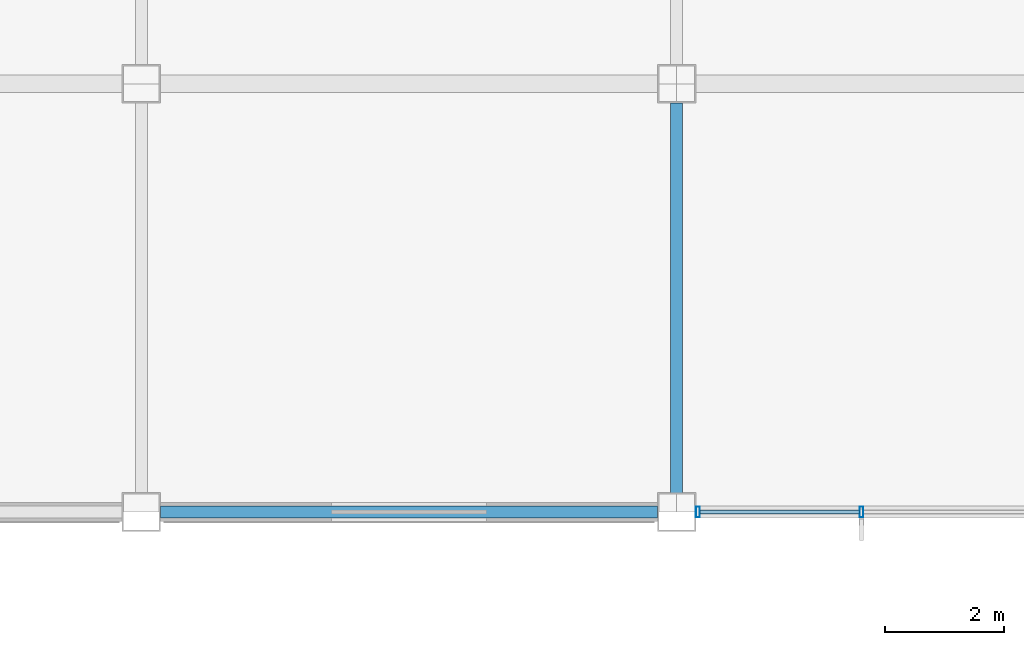
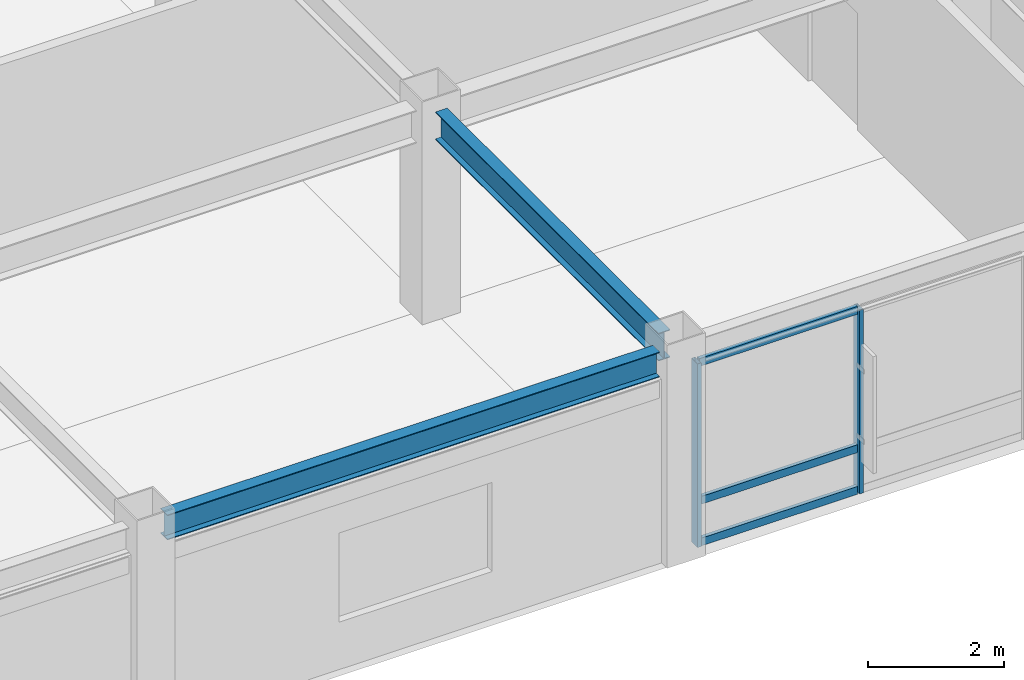
# One storey, part 80 of 113: 5 members, 2 beams, 1 element without a shape of its own.
"""IFC4 building model written with IfcOpenShell, lengths in metres."""

from ifc_helpers import new_model, si_unit, direction, frame, origin, origin_2d, place, context, subcontext, project, spatial, hollow_rectangle, i_section, extrude, material, material_profile, profile_set, type_object, element, aggregate, save


model = new_model("IFC4")

# Units and contexts
model_context = context("Model", 3, precision=1e-05, world=origin(), true_north=direction((0.0, 1.0)))
body_context = subcontext(model_context, "Body", "Model", "MODEL_VIEW")
ifc_project = project(units=[si_unit("LENGTHUNIT", "METRE"), si_unit("AREAUNIT", "SQUARE_METRE"), si_unit("VOLUMEUNIT", "CUBIC_METRE"), si_unit("PLANEANGLEUNIT", "RADIAN"), si_unit("MASSUNIT", "GRAM", prefix="KILO")], contexts=[model_context])

# Site, building, storey
site_placement = place(None, origin())
site = spatial("IfcSite", under=ifc_project, at=site_placement, CompositionType="ELEMENT")
building_placement = place(site_placement, origin())
building = spatial("IfcBuilding", under=site, at=building_placement, Name="Kazanami Central Library", CompositionType="ELEMENT")
storey_placement = place(building_placement, frame((0.0, 0.0, 8.800048828125)))
storey = spatial("IfcBuildingStorey", under=building, at=storey_placement, Name="L03", CompositionType="ELEMENT", Elevation=8.800048828125)

# Beams
ifc_material_1 = material(Name="Steel SN490B (325 MPa)", Category="steel")
ifc_material_profile_1 = material_profile(ifc_material_1, i_section(OverallWidth=0.199951171875, OverallDepth=0.5, WebThickness=0.010009765625, FlangeThickness=0.01611328125, at=origin_2d()), Name="H-500x200x10x16")
ifc_profile_set_1 = profile_set([ifc_material_profile_1], Name="Steel SN490B (325 MPa)")
beam_type_1 = type_object("IfcBeamType", Name="BM-G-Y2", PredefinedType="BEAM", material=ifc_profile_set_1)
beam_1_placement = place(storey_placement, frame((135.0, 43.52294921875, 3.494873046875), z_axis=(0.0, 1.0, 0.0), x_axis=(-1.0, 0.0, 0.0)))
element("IfcBeam", 1, at=beam_1_placement, inside=storey, type_object=beam_type_1, Name="Girder G-Y2 L03 16/G-H", PredefinedType="BEAM", context=body_context, shape_type="SweptSolid", body=[
    extrude(i_section(OverallWidth=0.199951171875, OverallDepth=0.5, WebThickness=0.010009765625, FlangeThickness=0.01611328125, at=origin_2d()), origin(), (0.0, 0.0, 1.0), 6.553955078125),
])
ifc_material_profile_2 = material_profile(ifc_material_1, i_section(OverallWidth=0.199951171875, OverallDepth=0.449951171875, WebThickness=0.009033203125, FlangeThickness=0.013916015625, at=origin_2d()), Name="H-450x200x9x14")
ifc_profile_set_2 = profile_set([ifc_material_profile_2], Name="Steel SN490B (325 MPa)")
beam_type_2 = type_object("IfcBeamType", Name="BM-SP-2", PredefinedType="SPANDREL", material=ifc_profile_set_2)
beam_2_placement = place(storey_placement, frame((126.322998046875, 43.199951171875, 3.52001953125), z_axis=(1.0, 0.0, 0.0), x_axis=(0.0, 1.0, 0.0)))
element("IfcBeam", 2, at=beam_2_placement, inside=storey, type_object=beam_type_2, Name="Girder SP-2 L03 G/15-16", PredefinedType="SPANDREL", context=body_context, shape_type="SweptSolid", body=[
    extrude(i_section(OverallWidth=0.199951171875, OverallDepth=0.449951171875, WebThickness=0.009033203125, FlangeThickness=0.013916015625, at=origin_2d()), origin(), (0.0, 0.0, 1.0), 8.35400390625),
])

# Curtain wall, members
ifc_material_2 = material(Name="Acid-Etched Low-E Laminated Glass", Category="glass")
curtain_wall_type = type_object("IfcCurtainWallType", Name="CW-8350x3295-M275", PredefinedType="USERDEFINED", material=ifc_material_2)
curtain_wall_placement = place(storey_placement, origin())
curtain_wall = element("IfcCurtainWall", 3, at=curtain_wall_placement, inside=storey, type_object=curtain_wall_type, Name="Unitised Curtain Wall CW-26 L03 S-G-15", ObjectType="UNITISED CURTAIN WALL", PredefinedType="USERDEFINED")
ifc_material_3 = material(Name="Anodised Aluminium A6063-T5", Category="aluminium")
ifc_material_profile_3 = material_profile(ifc_material_3, hollow_rectangle(XDim=0.06494140625, YDim=0.179931640625, WallThickness=0.00390625, at=origin_2d()), Name="ALU-MULL-65x180x4")
ifc_profile_set_3 = profile_set([ifc_material_profile_3], Name="Anodised Aluminium A6063-T5")
member_type_1 = type_object("IfcMemberType", Name="MEM-CW-M2", PredefinedType="MULLION", material=ifc_profile_set_3)
member_1_placement = place(storey_placement, frame((135.357421875, 43.199951171875, 0.0), z_axis=(0.0, 0.0, 1.0), x_axis=(1.0, 0.0, 0.0)))
member_1 = element("IfcMember", 4, at=member_1_placement, type_object=member_type_1, Name="CW-26 mullion 1", PredefinedType="MULLION", context=body_context, shape_type="SweptSolid", body=[
    extrude(hollow_rectangle(XDim=0.06494140625, YDim=0.179931640625, WallThickness=0.00390625, at=origin_2d()), origin(), (0.0, 0.0, 1.0), 3.294921875),
])
member_2_placement = place(storey_placement, frame((138.1083984375, 43.199951171875, 0.0), z_axis=(0.0, 0.0, 1.0), x_axis=(1.0, 0.0, 0.0)))
member_2 = element("IfcMember", 5, at=member_2_placement, type_object=member_type_1, Name="CW-26 mullion 2", PredefinedType="MULLION", context=body_context, shape_type="SweptSolid", body=[
    extrude(hollow_rectangle(XDim=0.06494140625, YDim=0.179931640625, WallThickness=0.00390625, at=origin_2d()), origin(), (0.0, 0.0, 1.0), 3.294921875),
])
ifc_material_profile_4 = material_profile(ifc_material_3, hollow_rectangle(XDim=0.06494140625, YDim=0.139892578125, WallThickness=0.00390625, at=origin_2d()), Name="ALU-TRAN-65x140x4")
ifc_profile_set_4 = profile_set([ifc_material_profile_4], Name="Anodised Aluminium A6063-T5")
member_type_2 = type_object("IfcMemberType", Name="MEM-CW-T2", PredefinedType="USERDEFINED", material=ifc_profile_set_4)
member_3_placement = place(storey_placement, frame((135.389892578125, 43.199951171875, 0.032470703125), z_axis=(1.0, 0.0, 0.0), x_axis=(0.0, 1.0, 0.0)))
member_3 = element("IfcMember", 6, at=member_3_placement, type_object=member_type_2, Name="CW-26 transom 1.1", ObjectType="TRANSOM", PredefinedType="USERDEFINED", context=body_context, shape_type="SweptSolid", body=[
    extrude(hollow_rectangle(XDim=0.06494140625, YDim=0.139892578125, WallThickness=0.00390625, at=origin_2d()), origin(), (0.0, 0.0, 1.0), 2.68603515625),
])
member_4_placement = place(storey_placement, frame((135.389892578125, 43.199951171875, 0.780029296875), z_axis=(1.0, 0.0, 0.0), x_axis=(0.0, 1.0, 0.0)))
member_4 = element("IfcMember", 7, at=member_4_placement, type_object=member_type_2, Name="CW-26 transom 1.2", ObjectType="TRANSOM", PredefinedType="USERDEFINED", context=body_context, shape_type="SweptSolid", body=[
    extrude(hollow_rectangle(XDim=0.06494140625, YDim=0.139892578125, WallThickness=0.00390625, at=origin_2d()), origin(), (0.0, 0.0, 1.0), 2.68603515625),
])
member_5_placement = place(storey_placement, frame((135.389892578125, 43.199951171875, 3.262451171875), z_axis=(1.0, 0.0, 0.0), x_axis=(0.0, 1.0, 0.0)))
member_5 = element("IfcMember", 8, at=member_5_placement, type_object=member_type_2, Name="CW-26 transom 1.3", ObjectType="TRANSOM", PredefinedType="USERDEFINED", context=body_context, shape_type="SweptSolid", body=[
    extrude(hollow_rectangle(XDim=0.06494140625, YDim=0.139892578125, WallThickness=0.00390625, at=origin_2d()), origin(), (0.0, 0.0, 1.0), 2.68603515625),
])
aggregate(curtain_wall, [member_1, member_2, member_3, member_4, member_5])

save(model, "model.ifc")
